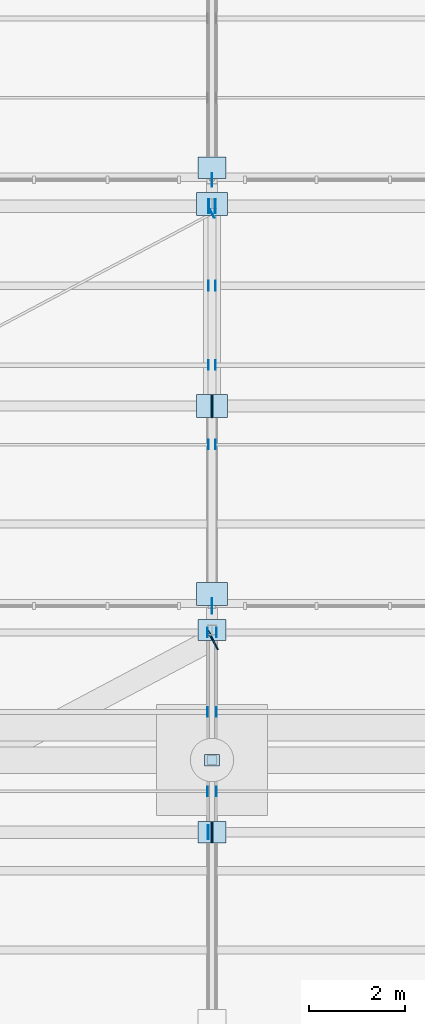
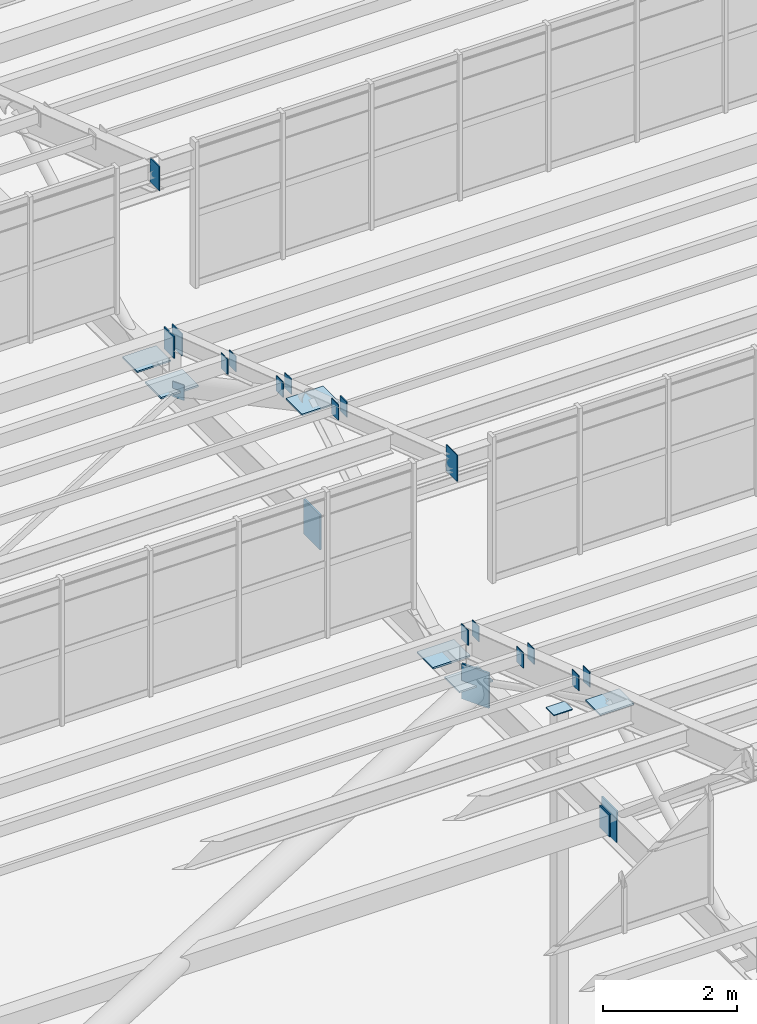
# One storey, part 224 of 285: 28 plates.
"""IFC4 building model written with IfcOpenShell, lengths in metres."""

import ifcopenshell
import ifcopenshell.guid

model = None  # the IFC model being written
_history = None  # IfcOwnerHistory: only IFC2X3 demands one
_inside = {}  # id of a spatial element -> (the spatial element, [elements in it])
_under = {}  # id of a project, library or spatial element -> (it, [spatial elements below it])
_declared = {}  # id of a project -> (the project, [libraries it declares])
_typed = {}  # id of a type object -> (the type object, [elements of that type])
_made_of = {}  # id of a material, layer set ... -> (it, [elements and type objects made of it])


def new_model(schema):
    """Start an empty IFC model of exactly this schema.

    Asked for "IFC4X3", IfcOpenShell would pick the latest addendum, in which some entities
    have other attributes; the version numbers below select the first issue.
    IFC2X3 requires an IfcOwnerHistory on every rooted entity: one is made here for all.
    """
    global model, _history
    if schema == "IFC4X3":
        model = ifcopenshell.file(schema_version=(4, 3, 0, 0))
    else:
        model = ifcopenshell.file(schema=schema)
    _inside.clear()
    _under.clear()
    _declared.clear()
    _typed.clear()
    _made_of.clear()
    _history = None
    if model.schema == "IFC2X3":
        org = make("IfcOrganization", Name="unknown")
        user = make(
            "IfcPersonAndOrganization",
            ThePerson=make("IfcPerson", FamilyName="unknown"),
            TheOrganization=org,
        )
        app = make(
            "IfcApplication",
            ApplicationDeveloper=org,
            Version="unknown",
            ApplicationFullName="unknown",
            ApplicationIdentifier="unknown",
        )
        _history = make(
            "IfcOwnerHistory",
            OwningUser=user,
            OwningApplication=app,
            ChangeAction="ADDED",
            CreationDate=0,
        )
    return model


def make(cls, **values):
    """One entity of the class cls with the attributes given. An attribute that is None is left unset."""
    return model.create_entity(
        cls, **{name: value for name, value in values.items() if value is not None}
    )


def rooted(cls, **values):
    """An entity with a GlobalId (a new one), such as an element, a storey or a relation."""
    return make(cls, GlobalId=ifcopenshell.guid.new(), OwnerHistory=_history, **values)


def si_unit(unit_type, name, prefix=None):
    """IfcSIUnit, for example si_unit("LENGTHUNIT", "METRE", prefix="MILLI")."""
    return make("IfcSIUnit", UnitType=unit_type, Prefix=prefix, Name=name)


def assignment(units):
    """IfcUnitAssignment: the units of a project."""
    return None if units is None else make("IfcUnitAssignment", Units=units)


def point(xyz):
    """IfcCartesianPoint."""
    return None if xyz is None else make("IfcCartesianPoint", Coordinates=xyz)


def direction(xyz):
    """IfcDirection."""
    return None if xyz is None else make("IfcDirection", DirectionRatios=xyz)


def frame(location, z_axis=None, x_axis=None):
    """IfcAxis2Placement3D, a coordinate frame: its origin and axes. An axis left out is left unset."""
    return make(
        "IfcAxis2Placement3D",
        Location=point(location),
        Axis=direction(z_axis),
        RefDirection=direction(x_axis),
    )


def frame_2d(location, x_axis=None):
    """IfcAxis2Placement2D, a coordinate frame in the plane: its origin and x axis."""
    return make(
        "IfcAxis2Placement2D", Location=point(location), RefDirection=direction(x_axis)
    )


def origin():
    """The frame at (0, 0, 0) with its axes left unset."""
    return frame((0.0, 0.0, 0.0))


def origin_2d():
    """The frame at (0, 0) in the plane with its x axis left unset."""
    return frame_2d((0.0, 0.0))


def place(relative_to, where):
    """IfcLocalPlacement: puts the frame where relative to a parent placement (None: the world)."""
    return make(
        "IfcLocalPlacement", PlacementRelTo=relative_to, RelativePlacement=where
    )


def context(
    kind, dimensions, precision=None, world=None, true_north=None, identifier=None
):
    """IfcGeometricRepresentationContext, for example the 3D "Model" context."""
    return make(
        "IfcGeometricRepresentationContext",
        ContextIdentifier=identifier,
        ContextType=kind,
        CoordinateSpaceDimension=dimensions,
        Precision=precision,
        WorldCoordinateSystem=world,
        TrueNorth=true_north,
    )


def subcontext(parent, identifier, kind, view, scale=None):
    """IfcGeometricRepresentationSubContext, for example "Body" below "Model"."""
    return make(
        "IfcGeometricRepresentationSubContext",
        ContextIdentifier=identifier,
        ContextType=kind,
        ParentContext=parent,
        TargetScale=scale,
        TargetView=view,
    )


def project(units=None, contexts=None):
    """IfcProject with its units and contexts."""
    return rooted(
        "IfcProject",
        Name="project",
        RepresentationContexts=contexts,
        UnitsInContext=assignment(units),
    )


def spatial(cls, under=None, at=None, **own):
    """A site, building, storey or space (cls), placed at a placement, below another one or the project."""
    s = rooted(cls, ObjectPlacement=at, **own)
    if under is not None:
        _under.setdefault(under.id(), (under, []))[1].append(s)
    return s


def profile(cls, at=None, kind="AREA", **sizes):
    """A parametric profile (cls). Its sizes go by their IFC names, for example OverallWidth=200.0."""
    return make(cls, ProfileType=kind, Position=at, **sizes)


def rectangle(**sizes):
    """IfcRectangleProfileDef."""
    return profile("IfcRectangleProfileDef", **sizes)


def extrude(swept, where, along, depth):
    """IfcExtrudedAreaSolid: the profile swept, set in the frame where, extruded along a direction by depth."""
    return make(
        "IfcExtrudedAreaSolid",
        SweptArea=swept,
        Position=where,
        ExtrudedDirection=direction(along),
        Depth=depth,
    )


def shape(context_of_items, identifier, shape_type, items):
    """IfcShapeRepresentation: the items that make up one representation, for example the "Body"."""
    return make(
        "IfcShapeRepresentation",
        ContextOfItems=context_of_items,
        RepresentationIdentifier=identifier,
        RepresentationType=shape_type,
        Items=items,
    )


def material(Name=None, Category=None):
    """IfcMaterial."""
    return make("IfcMaterial", Name=Name, Category=Category)


def layer(
    of_material, thickness, ventilated=None, Name=None, Category=None, Priority=None
):
    """IfcMaterialLayer: one layer of a wall or slab, of a material (None: an air gap)."""
    return make(
        "IfcMaterialLayer",
        Material=of_material,
        LayerThickness=thickness,
        IsVentilated=ventilated,
        Name=Name,
        Category=Category,
        Priority=Priority,
    )


def layer_set(layers, Name=None):
    """IfcMaterialLayerSet."""
    return make("IfcMaterialLayerSet", MaterialLayers=layers, LayerSetName=Name)


def made_of(thing, what):
    """Note that an element or type object is made of a material, layer set ...; save() writes the relation."""
    if what is not None:
        _made_of.setdefault(what.id(), (what, []))[1].append(thing)
    return thing


def type_object(cls, material=None, **own):
    """A type object (cls), such as IfcWallType, which elements share."""
    return made_of(rooted(cls, **own), material)


def element(
    cls,
    number,
    at=None,
    inside=None,
    cuts=None,
    type_object=None,
    material=None,
    context=None,
    identifier="Body",
    shape_type=None,
    held_by="IfcProductDefinitionShape",
    body=None,
    shapes=None,
    **own,
):
    """One element of the class cls, such as IfcWall. Its Tag is "e" and its number.

    at: its placement. inside: the storey or other place that contains it. cuts: it is an
    opening in that element (IfcRelVoidsElement). A single representation is given by context,
    identifier, shape_type and body (its items); several are given by shapes. held_by: the class
    of the entity that holds the representations. save() writes the other relations.
    """
    e = rooted(cls, Tag="e%d" % number, ObjectPlacement=at, **own)
    if body is not None:
        shapes = [shape(context, identifier, shape_type, body)]
    if shapes is not None:
        e.Representation = make(held_by, Representations=shapes)
    if inside is not None:
        _inside.setdefault(inside.id(), (inside, []))[1].append(e)
    if cuts is not None:
        rooted(
            "IfcRelVoidsElement", RelatingBuildingElement=cuts, RelatedOpeningElement=e
        )
    if type_object is not None:
        _typed.setdefault(type_object.id(), (type_object, []))[1].append(e)
    return made_of(e, material)


def aggregate(whole, parts):
    """IfcRelAggregates: a whole, such as a stair, and the parts it consists of."""
    return rooted("IfcRelAggregates", RelatingObject=whole, RelatedObjects=parts)


def save(model, path):
    """Write the relations noted so far, then the file.

    IfcRelAggregates (storeys below a building ...), IfcRelContainedInSpatialStructure (elements
    in a storey), IfcRelDefinesByType, IfcRelAssociatesMaterial and IfcRelDeclares: one each for
    every whole, place, type object, material and project.
    """
    for whole, parts in _under.values():
        aggregate(whole, parts)
    for where, things in _inside.values():
        rooted(
            "IfcRelContainedInSpatialStructure",
            RelatedElements=things,
            RelatingStructure=where,
        )
    for kind, things in _typed.values():
        rooted("IfcRelDefinesByType", RelatedObjects=things, RelatingType=kind)
    for what, things in _made_of.values():
        rooted("IfcRelAssociatesMaterial", RelatedObjects=things, RelatingMaterial=what)
    for by, libraries in _declared.values():
        rooted("IfcRelDeclares", RelatingContext=by, RelatedDefinitions=libraries)
    model.write(path)


model = new_model("IFC4")

# Units and contexts
model_context = context("Model", 3, precision=1e-05, world=origin(), true_north=direction((0.0, 1.0)))
body_context = subcontext(model_context, "Body", "Model", "MODEL_VIEW")
ifc_project = project(units=[si_unit("LENGTHUNIT", "METRE"), si_unit("AREAUNIT", "SQUARE_METRE"), si_unit("VOLUMEUNIT", "CUBIC_METRE"), si_unit("PLANEANGLEUNIT", "RADIAN"), si_unit("MASSUNIT", "GRAM", prefix="KILO")], contexts=[model_context])

# Site, building, storey
site_placement = place(None, origin())
site = spatial("IfcSite", under=ifc_project, at=site_placement, CompositionType="ELEMENT")
building_placement = place(site_placement, origin())
building = spatial("IfcBuilding", under=site, at=building_placement, Name="Solanera Park Tramway Depot", CompositionType="ELEMENT")
storey_placement = place(building_placement, origin())
storey = spatial("IfcBuildingStorey", under=building, at=storey_placement, Name="L00", CompositionType="ELEMENT", Elevation=0.0)

# Plates
ifc_material_1 = material(Name="Steel AS/NZS 3679.1 Grade 350", Category="steel")
ifc_layer_1 = layer(ifc_material_1, 0.013916015625)
ifc_layer_set_1 = layer_set([ifc_layer_1], Name="Steel AS/NZS 3679.1 Grade 350")
plate_type_1 = type_object("IfcPlateType", Name="Hollow End Cap and Base Plate 280x200x14", PredefinedType="USERDEFINED", material=ifc_layer_set_1)
for number, where, z_axis, x_axis, name in (
    (1, (104.90625, 113.85009765625, 8.41064453125), (0.0, 0.0, 1.0), (1.0, 0.0, 0.0), "Hollow Section Welded End Cap Plate #0696"),
    (2, (105.09375, 113.85009765625, 8.41064453125), (0.0, 0.0, 1.0), (1.0, 0.0, 0.0), "Hollow Section Welded End Cap Plate #0697"),
    (3, (104.90625, 115.5, 7.8251953125), (0.0, 0.0, 1.0), (1.0, 0.0, 0.0), "Hollow Section Welded End Cap Plate #0716"),
    (4, (105.09375, 115.5, 7.8251953125), (0.0, 0.0, 1.0), (1.0, 0.0, 0.0), "Hollow Section Welded End Cap Plate #0717"),
    (5, (104.90625, 117.14990234375, 7.23974609375), (0.0, 0.0, 1.0), (1.0, 0.0, 0.0), "Hollow Section Welded End Cap Plate #0736"),
    (6, (105.09375, 117.14990234375, 7.23974609375), (0.0, 0.0, 1.0), (1.0, 0.0, 0.0), "Hollow Section Welded End Cap Plate #0737"),
    (7, (104.927978515625, 121.050048828125, 8.96240234375), (0.0, 0.0, 1.0), (1.0, 0.0, 0.0), "Hollow Section Welded End Cap Plate #0825"),
    (8, (105.072021484375, 121.050048828125, 8.96240234375), (0.0, 0.0, 1.0), (1.0, 0.0, 0.0), "Hollow Section Welded End Cap Plate #0826"),
    (9, (104.927978515625, 122.699951171875, 8.376953125), (0.0, 0.0, 1.0), (1.0, 0.0, 0.0), "Hollow Section Welded End Cap Plate #0845"),
    (10, (105.072021484375, 122.699951171875, 8.376953125), (0.0, 0.0, 1.0), (1.0, 0.0, 0.0), "Hollow Section Welded End Cap Plate #0846"),
    (11, (104.927978515625, 124.35009765625, 7.79150390625), (0.0, 0.0, 1.0), (1.0, 0.0, 0.0), "Hollow Section Welded End Cap Plate #0865"),
    (12, (105.072021484375, 124.35009765625, 7.79150390625), (0.0, 0.0, 1.0), (1.0, 0.0, 0.0), "Hollow Section Welded End Cap Plate #0866"),
    (13, (105.000732421875, 125.851318359375, 6.35986328125), (0.0, 0.0, 1.0), (0.883520501477, 0.468392488698, 0.0), "Hollow Section Welded End Cap Plate #0901"),
):
    element("IfcPlate", number, at=place(storey_placement, frame(where, z_axis=z_axis, x_axis=x_axis)), inside=storey, type_object=plate_type_1, Name=name, ObjectType="BASE PLATE", PredefinedType="USERDEFINED", context=body_context, shape_type="SweptSolid", body=[
        extrude(rectangle(XDim=0.013916015625, YDim=0.199951171875, at=origin_2d()), origin(), (0.0, 0.0, 1.0), 0.280029296875),
    ])
ifc_material_2 = material(Name="Steel AS/NZS 3679.1 Grade 350", Category="steel")
ifc_layer_2 = layer(ifc_material_2, 0.01611328125)
ifc_layer_set_2 = layer_set([ifc_layer_2], Name="Steel AS/NZS 3679.1 Grade 350")
plate_type_2 = type_object("IfcPlateType", Name="Hollow End Cap and Base Plate 320x240x16", PredefinedType="USERDEFINED", material=ifc_layer_set_2)
plate_1_placement = place(storey_placement, frame((105.0, 114.5, 7.595947265625), z_axis=(0.0, 0.0, 1.0), x_axis=(1.0, 0.0, 0.0)))
element("IfcPlate", 14, at=plate_1_placement, inside=storey, type_object=plate_type_2, Name="Hollow Column Sealed Cap Plate #0015", ObjectType="BASE PLATE", PredefinedType="USERDEFINED", context=body_context, shape_type="SweptSolid", body=[
    extrude(rectangle(XDim=0.320068359375, YDim=0.239990234375, at=origin_2d()), origin(), (0.0, 0.0, 1.0), 0.01611328125),
])
ifc_material_3 = material(Name="Steel AS/NZS 3679.1 Grade 350", Category="steel")
ifc_layer_3 = layer(ifc_material_3, 0.02001953125)
ifc_layer_set_3 = layer_set([ifc_layer_3], Name="Steel AS/NZS 3679.1 Grade 350")
plate_type_3 = type_object("IfcPlateType", Name="Hollow End Cap and Base Plate 400x300x20", PredefinedType="USERDEFINED", material=ifc_layer_set_3)
for number, where, z_axis, x_axis, name in (
    (15, (104.91796875, 113.0, 6.300048828125), (0.0, 0.0, 1.0), (1.0, 0.0, 0.0), "Hollow Section Welded End Cap Plate #0752"),
    (16, (104.930908203125, 126.0, 7.11279296875), (0.0, 0.0, 1.0), (1.0, 0.0, 0.0), "Hollow Section Welded End Cap Plate #0885"),
    (17, (105.069091796875, 126.0, 7.11279296875), (0.0, 0.0, 1.0), (1.0, 0.0, 0.0), "Hollow Section Welded End Cap Plate #0886"),
):
    element("IfcPlate", number, at=place(storey_placement, frame(where, z_axis=z_axis, x_axis=x_axis)), inside=storey, type_object=plate_type_3, Name=name, ObjectType="BASE PLATE", PredefinedType="USERDEFINED", context=body_context, shape_type="SweptSolid", body=[
        extrude(rectangle(XDim=0.02001953125, YDim=0.300048828125, at=origin_2d()), origin(), (0.0, 0.0, 1.0), 0.39990234375),
    ])
ifc_material_4 = material(Name="Steel AS/NZS 3679.1 Grade 350", Category="steel")
ifc_layer_4 = layer(ifc_material_4, 0.028076171875)
ifc_layer_set_4 = layer_set([ifc_layer_4], Name="Steel AS/NZS 3679.1 Grade 350")
plate_type_4 = type_object("IfcPlateType", Name="Hollow End Cap and Base Plate 580x440x28", PredefinedType="USERDEFINED", material=ifc_layer_set_4)
plate_2_placement = place(storey_placement, frame((105.0, 113.0, 6.2099609375), z_axis=(0.0, 0.0, 1.0), x_axis=(1.0, 0.0, 0.0)))
element("IfcPlate", 18, at=plate_2_placement, inside=storey, type_object=plate_type_4, Name="Sawtooth Truss Hollow End Cap #0664", ObjectType="BASE PLATE", PredefinedType="USERDEFINED", context=body_context, shape_type="SweptSolid", body=[
    extrude(rectangle(XDim=0.028076171875, YDim=0.43994140625, at=origin_2d()), origin(), (0.0, 0.0, 1.0), 0.580078125),
])
for number, where, z_axis, x_axis, name in (
    (19, (105.0, 117.199951171875, 6.48583984375), (0.0, 0.0, 1.0), (1.0, 0.0, 0.0), "Sawtooth Truss Node Cap Plate #0665"),
    (20, (105.0, 113.0, 8.61572265625), (0.0, 0.0, 1.0), (1.0, 0.0, 0.0), "Sawtooth Truss Node Cap Plate #0666"),
    (21, (105.0, 126.800048828125, 6.48583984375), (0.0, 0.0, 1.0), (1.0, 0.0, 0.0), "Sawtooth Truss Node Cap Plate #0933"),
):
    element("IfcPlate", number, at=place(storey_placement, frame(where, z_axis=z_axis, x_axis=x_axis)), inside=storey, type_object=plate_type_4, Name=name, ObjectType="BASE PLATE", PredefinedType="USERDEFINED", context=body_context, shape_type="SweptSolid", body=[
        extrude(rectangle(XDim=0.580078125, YDim=0.43994140625, at=origin_2d()), origin(), (0.0, 0.0, 1.0), 0.028076171875),
    ])
ifc_material_5 = material(Name="Steel AS/NZS 3679.1 Grade 350", Category="steel")
ifc_layer_5 = layer(ifc_material_5, 0.031982421875)
ifc_layer_set_5 = layer_set([ifc_layer_5], Name="Steel AS/NZS 3679.1 Grade 350")
plate_type_5 = type_object("IfcPlateType", Name="Hollow End Cap and Base Plate 640x480x32", PredefinedType="USERDEFINED", material=ifc_layer_set_5)
for number, where, z_axis, x_axis, name in (
    (22, (105.008544921875, 117.005615234375, 6.18017578125), (0.0, 0.0, 1.0), (0.883520501477, 0.468392488698, 0.0), "Hollow Section Welded End Cap Plate #0754"),
    (23, (105.0, 121.85009765625, 6.18017578125), (0.0, 0.0, 1.0), (1.0, 0.0, 0.0), "Sawtooth Truss Hollow End Cap #0793"),
):
    element("IfcPlate", number, at=place(storey_placement, frame(where, z_axis=z_axis, x_axis=x_axis)), inside=storey, type_object=plate_type_5, Name=name, ObjectType="BASE PLATE", PredefinedType="USERDEFINED", context=body_context, shape_type="SweptSolid", body=[
        extrude(rectangle(XDim=0.031982421875, YDim=0.47998046875, at=origin_2d()), origin(), (0.0, 0.0, 1.0), 0.639892578125),
    ])
for number, where, z_axis, x_axis, name in (
    (24, (105.0, 126.050048828125, 6.48388671875), (0.0, 0.0, 1.0), (1.0, 0.0, 0.0), "Sawtooth Truss Node Cap Plate #0794"),
    (25, (105.0, 121.85009765625, 8.7265625), (0.0, 0.0, 1.0), (1.0, 0.0, 0.0), "Sawtooth Truss Node Cap Plate #0795"),
    (26, (105.0, 117.949951171875, 6.48388671875), (0.0, 0.0, 1.0), (1.0, 0.0, 0.0), "Sawtooth Truss Node Cap Plate #0796"),
):
    element("IfcPlate", number, at=place(storey_placement, frame(where, z_axis=z_axis, x_axis=x_axis)), inside=storey, type_object=plate_type_5, Name=name, ObjectType="BASE PLATE", PredefinedType="USERDEFINED", context=body_context, shape_type="SweptSolid", body=[
        extrude(rectangle(XDim=0.639892578125, YDim=0.47998046875, at=origin_2d()), origin(), (0.0, 0.0, 1.0), 0.031982421875),
    ])
ifc_material_6 = material(Name="Steel AS/NZS 3679.1 Grade 350", Category="steel")
ifc_layer_6 = layer(ifc_material_6, 0.01611328125)
ifc_layer_set_6 = layer_set([ifc_layer_6], Name="Steel AS/NZS 3679.1 Grade 350")
plate_type_6 = type_object("IfcPlateType", Name="Truss Node Gusset Stiffener 440x280x16", PredefinedType="SHEET", material=ifc_layer_set_6)
plate_3_placement = place(storey_placement, frame((105.0, 126.550048828125, 9.79833984375), z_axis=(0.0, 0.0, 1.0), x_axis=(1.0, 0.0, 0.0)))
element("IfcPlate", 27, at=plate_3_placement, inside=storey, type_object=plate_type_6, Name="Sawtooth Truss Apex Gusset Plate #0929", PredefinedType="SHEET", context=body_context, shape_type="SweptSolid", body=[
    extrude(rectangle(XDim=0.01611328125, YDim=0.280029296875, at=origin_2d()), origin(), (0.0, 0.0, 1.0), 0.43994140625),
])
ifc_material_7 = material(Name="Steel AS/NZS 3679.1 Grade 350", Category="steel")
ifc_layer_7 = layer(ifc_material_7, 0.01806640625)
ifc_layer_set_7 = layer_set([ifc_layer_7], Name="Steel AS/NZS 3679.1 Grade 350")
plate_type_7 = type_object("IfcPlateType", Name="Truss Node Gusset Stiffener 480x320x18", PredefinedType="SHEET", material=ifc_layer_set_7)
plate_4_placement = place(storey_placement, frame((105.0, 117.699951171875, 9.89111328125), z_axis=(0.0, 0.0, 1.0), x_axis=(1.0, 0.0, 0.0)))
element("IfcPlate", 28, at=plate_4_placement, inside=storey, type_object=plate_type_7, Name="Sawtooth Truss Apex Gusset Plate #0792", PredefinedType="SHEET", context=body_context, shape_type="SweptSolid", body=[
    extrude(rectangle(XDim=0.01806640625, YDim=0.320068359375, at=origin_2d()), origin(), (0.0, 0.0, 1.0), 0.47998046875),
])

save(model, "model.ifc")
